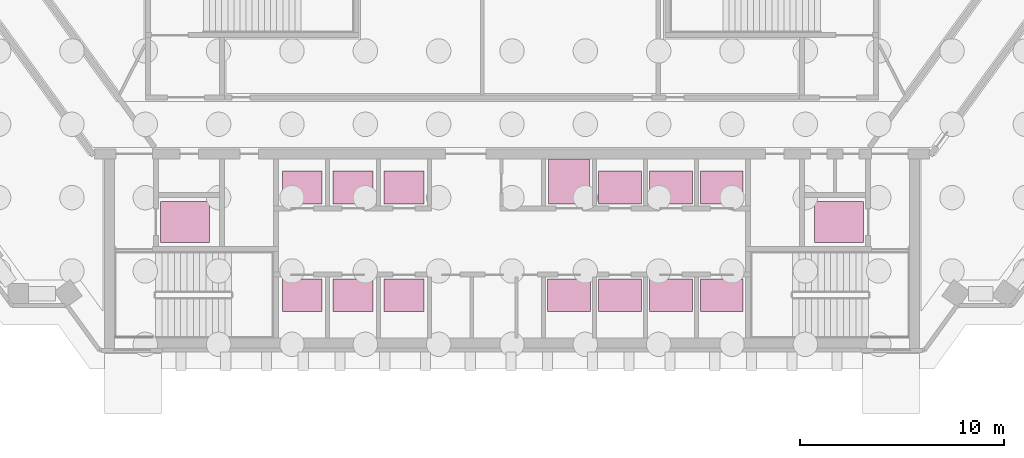
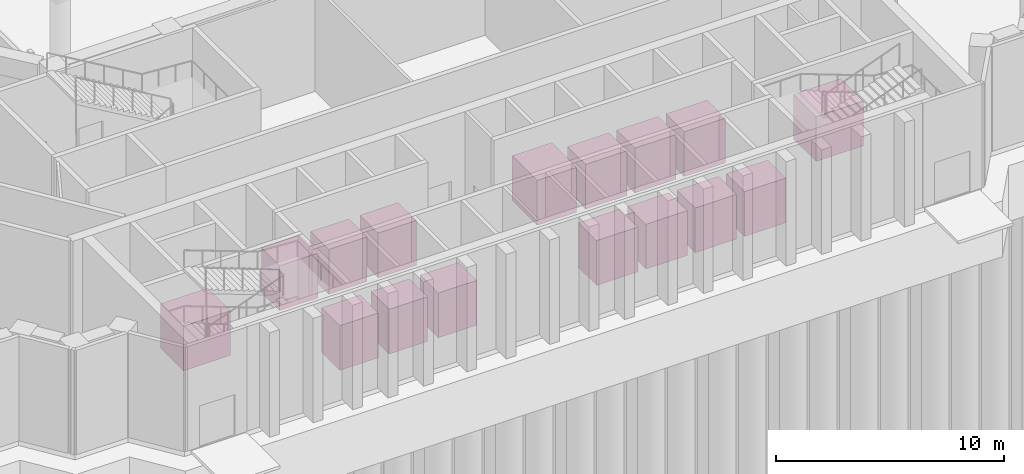
# One storey, part 32 of 32: 16 transport elements.
"""IFC4 building model written with IfcOpenShell, lengths in metres."""

from ifc_helpers import new_model, si_unit, direction, frame, origin, origin_2d, place, context, subcontext, project, spatial, rectangle, extrude, material, type_object, element, save


model = new_model("IFC4")

# Units and contexts
model_context = context("Model", 3, precision=1e-05, world=origin(), true_north=direction((0.0, 1.0)))
body_context = subcontext(model_context, "Body", "Model", "MODEL_VIEW")
ifc_project = project(units=[si_unit("LENGTHUNIT", "METRE"), si_unit("AREAUNIT", "SQUARE_METRE"), si_unit("VOLUMEUNIT", "CUBIC_METRE"), si_unit("PLANEANGLEUNIT", "RADIAN"), si_unit("MASSUNIT", "GRAM", prefix="KILO")], contexts=[model_context])

# Site, building, storey
site_placement = place(None, origin())
site = spatial("IfcSite", under=ifc_project, at=site_placement, CompositionType="ELEMENT")
building_placement = place(site_placement, origin())
building = spatial("IfcBuilding", under=site, at=building_placement, Name="Quipu Civic Tower", CompositionType="ELEMENT")
storey_placement = place(building_placement, origin())
storey = spatial("IfcBuildingStorey", under=building, at=storey_placement, Name="L00", CompositionType="ELEMENT", Elevation=0.0)

# Transport elements
ifc_material_1 = material(Name="Stainless steel", Category="steel")
transport_element_type_1 = type_object("IfcTransportElementType", Name="Fire-fighting and service lift", PredefinedType="ELEVATOR", material=ifc_material_1)
transport_element_placement = place(storey_placement, frame((2.800048828125, -2.800048828125, 0.0), z_axis=(0.0, 0.0, 1.0), x_axis=(1.0, 0.0, 0.0)))
element("IfcTransportElement", 1, at=transport_element_placement, inside=storey, type_object=transport_element_type_1, Name="Fire-fighting and service lift FF3", PredefinedType="ELEVATOR", context=body_context, shape_type="SweptSolid", body=[
    extrude(rectangle(XDim=2.0, YDim=2.199951171875, at=origin_2d()), origin(), (0.0, 0.0, 1.0), 2.39990234375),
])
for number, where, z_axis, x_axis, name in (
    (2, (-16.050048828125, -4.800048828125, 0.0), (0.0, 0.0, 1.0), (1.0, 0.0, 0.0), "Fire-fighting and service lift FF1"),
    (3, (16.050048828125, -4.800048828125, 0.0), (0.0, 0.0, 1.0), (1.0, 0.0, 0.0), "Fire-fighting and service lift FF2"),
):
    element("IfcTransportElement", number, at=place(storey_placement, frame(where, z_axis=z_axis, x_axis=x_axis)), inside=storey, type_object=transport_element_type_1, Name=name, PredefinedType="ELEVATOR", context=body_context, shape_type="SweptSolid", body=[
        extrude(rectangle(XDim=2.39990234375, YDim=2.0, at=origin_2d()), origin(), (0.0, 0.0, 1.0), 2.39990234375),
    ])
ifc_material_2 = material(Name="Stainless steel", Category="steel")
transport_element_type_2 = type_object("IfcTransportElementType", Name="Passenger lift low bank", PredefinedType="ELEVATOR", material=ifc_material_2)
for number, where, z_axis, x_axis, name in (
    (4, (-10.300048828125, -8.39990234375, 0.0), (0.0, 0.0, 1.0), (1.0, 0.0, 0.0), "Passenger lift LL1"),
    (5, (-7.800048828125, -8.39990234375, 0.0), (0.0, 0.0, 1.0), (1.0, 0.0, 0.0), "Passenger lift LL2"),
    (6, (-5.300048828125, -8.39990234375, 0.0), (0.0, 0.0, 1.0), (1.0, 0.0, 0.0), "Passenger lift LL3"),
    (7, (-10.300048828125, -3.10009765625, 0.0), (0.0, 0.0, 1.0), (1.0, 0.0, 0.0), "Passenger lift LL4"),
    (8, (-7.800048828125, -3.10009765625, 0.0), (0.0, 0.0, 1.0), (1.0, 0.0, 0.0), "Passenger lift LL5"),
    (9, (-5.300048828125, -3.10009765625, 0.0), (0.0, 0.0, 1.0), (1.0, 0.0, 0.0), "Passenger lift LL6"),
):
    element("IfcTransportElement", number, at=place(storey_placement, frame(where, z_axis=z_axis, x_axis=x_axis)), inside=storey, type_object=transport_element_type_2, Name=name, PredefinedType="ELEVATOR", context=body_context, shape_type="SweptSolid", body=[
        extrude(rectangle(XDim=1.949951171875, YDim=1.60009765625, at=origin_2d()), origin(), (0.0, 0.0, 1.0), 2.39990234375),
    ])
ifc_material_3 = material(Name="Stainless steel", Category="steel")
transport_element_type_3 = type_object("IfcTransportElementType", Name="Passenger lift mid bank", PredefinedType="ELEVATOR", material=ifc_material_3)
for number, where, z_axis, x_axis, name in (
    (10, (2.800048828125, -8.39990234375, 0.0), (0.0, 0.0, 1.0), (1.0, 0.0, 0.0), "Passenger lift ML1"),
    (11, (5.300048828125, -8.39990234375, 0.0), (0.0, 0.0, 1.0), (1.0, 0.0, 0.0), "Passenger lift ML2"),
    (12, (7.800048828125, -8.39990234375, 0.0), (0.0, 0.0, 1.0), (1.0, 0.0, 0.0), "Passenger lift ML3"),
    (13, (10.300048828125, -8.39990234375, 0.0), (0.0, 0.0, 1.0), (1.0, 0.0, 0.0), "Passenger lift ML4"),
    (14, (5.300048828125, -3.10009765625, 0.0), (0.0, 0.0, 1.0), (1.0, 0.0, 0.0), "Passenger lift ML5"),
    (15, (7.800048828125, -3.10009765625, 0.0), (0.0, 0.0, 1.0), (1.0, 0.0, 0.0), "Passenger lift ML6"),
    (16, (10.300048828125, -3.10009765625, 0.0), (0.0, 0.0, 1.0), (1.0, 0.0, 0.0), "Passenger lift ML7"),
):
    element("IfcTransportElement", number, at=place(storey_placement, frame(where, z_axis=z_axis, x_axis=x_axis)), inside=storey, type_object=transport_element_type_3, Name=name, PredefinedType="ELEVATOR", context=body_context, shape_type="SweptSolid", body=[
        extrude(rectangle(XDim=2.10009765625, YDim=1.60009765625, at=origin_2d()), origin(), (0.0, 0.0, 1.0), 2.39990234375),
    ])

save(model, "model.ifc")
